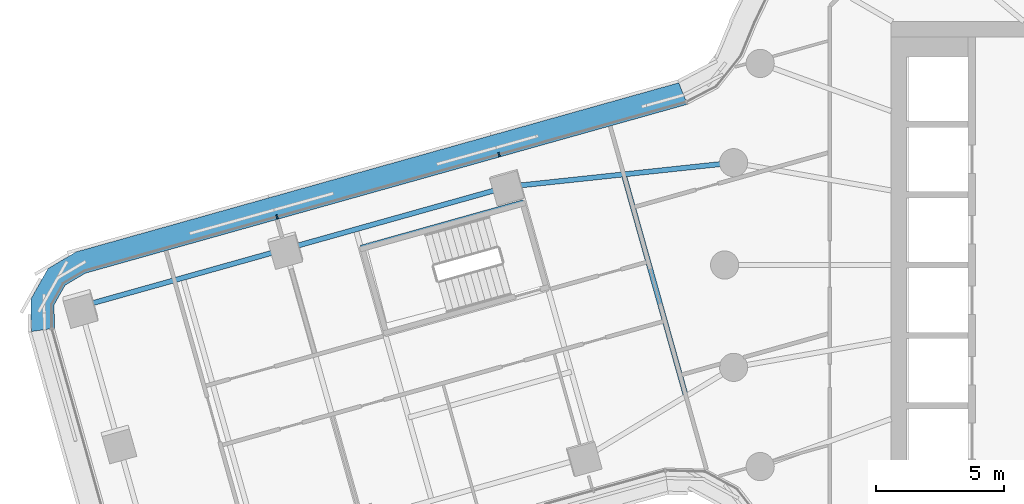
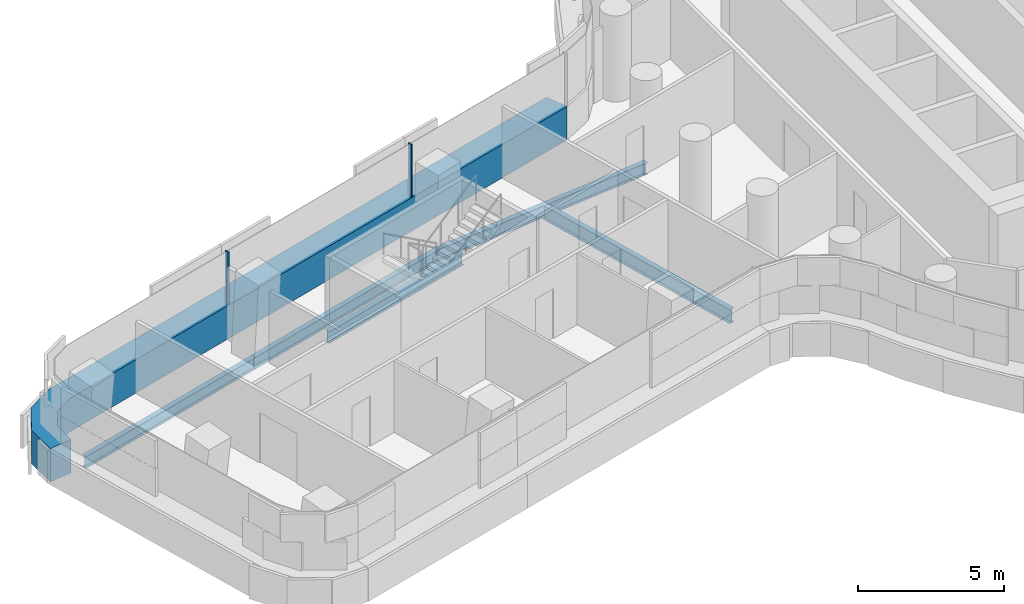
# One storey, part 6 of 30: 5 beams, 3 members, 1 element without a shape of its own.
"""IFC4 building model written with IfcOpenShell, lengths in metres."""

from ifc_helpers import new_model, si_unit, direction, frame, origin, origin_2d, place, context, subcontext, project, spatial, polyline, rectangle, i_section, outline, extrude, material, layer, layer_set, material_profile, profile_set, type_object, element, aggregate, save


model = new_model("IFC4")

# Units and contexts
model_context = context("Model", 3, precision=1e-05, world=origin(), true_north=direction((0.0, 1.0)))
body_context = subcontext(model_context, "Body", "Model", "MODEL_VIEW")
ifc_project = project(units=[si_unit("LENGTHUNIT", "METRE"), si_unit("AREAUNIT", "SQUARE_METRE"), si_unit("VOLUMEUNIT", "CUBIC_METRE"), si_unit("PLANEANGLEUNIT", "RADIAN"), si_unit("MASSUNIT", "GRAM", prefix="KILO")], contexts=[model_context])

# Site, building, storey
site_placement = place(None, origin())
site = spatial("IfcSite", under=ifc_project, at=site_placement, CompositionType="ELEMENT")
building_placement = place(site_placement, origin())
building = spatial("IfcBuilding", under=site, at=building_placement, Name="Tamarind Cross Interchange Tower", CompositionType="ELEMENT")
storey_placement = place(building_placement, frame((0.0, 0.0, 91.0)))
storey = spatial("IfcBuildingStorey", under=building, at=storey_placement, Name="L21", CompositionType="ELEMENT", Elevation=91.0)

# Beams
ifc_material_1 = material(Name="Steel Q355B", Category="steel")
ifc_material_profile_1 = material_profile(ifc_material_1, i_section(OverallWidth=0.198974609375, OverallDepth=0.49609375, WebThickness=0.009033203125, FlangeThickness=0.013916015625, FilletRadius=0.012939453125, at=origin_2d()), Name="HN 496x199x9x14")
ifc_profile_set_1 = profile_set([ifc_material_profile_1], Name="Steel Q355B")
beam_type_1 = type_object("IfcBeamType", Name="Composite beam HN 496x199x9x14 Q355B", PredefinedType="BEAM", material=ifc_profile_set_1)
beam_1_placement = place(storey_placement, frame((-48.147216796875, -1.62353515625, -0.387939453125), z_axis=(0.962821761658, 0.270137474776, 0.0), x_axis=(-0.270137474776, 0.962821761658, 0.0)))
element("IfcBeam", 1, at=beam_1_placement, inside=storey, type_object=beam_type_1, Name="Beam W-edgeem5", PredefinedType="BEAM", context=body_context, shape_type="SweptSolid", body=[
    extrude(i_section(OverallWidth=0.198974609375, OverallDepth=0.49609375, WebThickness=0.009033203125, FlangeThickness=0.013916015625, FilletRadius=0.012939453125, at=origin_2d()), origin(), (0.0, 0.0, 1.0), 8.313720703125),
])
beam_2_placement = place(storey_placement, frame((-40.142578125, 0.622314453125, -0.387939453125), z_axis=(0.96282528208, 0.270124927, 0.0), x_axis=(-0.270124927, 0.96282528208, 0.0)))
element("IfcBeam", 2, at=beam_2_placement, inside=storey, type_object=beam_type_1, Name="Beam W-edgeem6", PredefinedType="BEAM", context=body_context, shape_type="SweptSolid", body=[
    extrude(i_section(OverallWidth=0.198974609375, OverallDepth=0.49609375, WebThickness=0.009033203125, FlangeThickness=0.013916015625, FilletRadius=0.012939453125, at=origin_2d()), origin(), (0.0, 0.0, 1.0), 9.0),
])
beam_3_placement = place(storey_placement, frame((-31.47705078125, 3.053466796875, -0.387939453125), z_axis=(0.994371725124, 0.105947497723, 0.0), x_axis=(-0.105947497723, 0.994371725124, 0.0)))
element("IfcBeam", 3, at=beam_3_placement, inside=storey, type_object=beam_type_1, Name="Beam W-linkem", PredefinedType="BEAM", context=body_context, shape_type="SweptSolid", body=[
    extrude(i_section(OverallWidth=0.198974609375, OverallDepth=0.49609375, WebThickness=0.009033203125, FlangeThickness=0.013916015625, FilletRadius=0.012939453125, at=origin_2d()), origin(), (0.0, 0.0, 1.0), 8.87646484375),
])
beam_4_placement = place(storey_placement, frame((-30.84130859375, 2.452880859375, -0.387939453125), z_axis=(-0.962818272763, -0.270149909558, 0.0), x_axis=(0.270149909558, -0.962818272763, 0.0)))
element("IfcBeam", 4, at=beam_4_placement, inside=storey, type_object=beam_type_1, Name="Beam W-tr0", PredefinedType="BEAM", context=body_context, shape_type="SweptSolid", body=[
    extrude(i_section(OverallWidth=0.198974609375, OverallDepth=0.49609375, WebThickness=0.009033203125, FlangeThickness=0.013916015625, FilletRadius=0.012939453125, at=origin_2d()), origin(), (0.0, 0.0, 1.0), 6.599853515625),
])
ifc_material_profile_2 = material_profile(ifc_material_1, i_section(OverallWidth=0.199951171875, OverallDepth=0.60009765625, WebThickness=0.010986328125, FlangeThickness=0.01708984375, FilletRadius=0.012939453125, at=origin_2d()), Name="HN 600x200x11x17")
ifc_profile_set_2 = profile_set([ifc_material_profile_2], Name="Steel Q355B")
beam_type_2 = type_object("IfcBeamType", Name="Composite beam HN 600x200x11x17 Q355B", PredefinedType="BEAM", material=ifc_profile_set_2)
beam_5_placement = place(storey_placement, frame((-26.93896484375, 3.536865234375, -0.43994140625), z_axis=(0.270109332401, -0.962829657078, 0.0), x_axis=(0.962829657078, 0.270109332401, 0.0)))
element("IfcBeam", 5, at=beam_5_placement, inside=storey, type_object=beam_type_2, Name="Beam W-x258", PredefinedType="BEAM", context=body_context, shape_type="SweptSolid", body=[
    extrude(i_section(OverallWidth=0.199951171875, OverallDepth=0.60009765625, WebThickness=0.010986328125, FlangeThickness=0.01708984375, FilletRadius=0.012939453125, at=origin_2d()), origin(), (0.0, 0.0, 1.0), 8.99072265625),
])

# Curtain wall, members
ifc_material_2 = material(Name="Aluminium 6063-T6", Category="aluminium")
ifc_layer = layer(ifc_material_2, 0.159912109375)
ifc_layer_set = layer_set([ifc_layer], Name="Aluminium 6063-T6")
curtain_wall_type = type_object("IfcCurtainWallType", Name="Office curtain wall, 9.0 m bays", PredefinedType="NOTDEFINED", material=ifc_layer_set)
curtain_wall_placement = place(storey_placement, origin())
curtain_wall = element("IfcCurtainWall", 6, at=curtain_wall_placement, inside=storey, type_object=curtain_wall_type, Name="CWS-L21-11", PredefinedType="NOTDEFINED")
ifc_material_3 = material(Name="Aluminium and insulated spandrel panel", Category="aluminium")
member_type_1 = type_object("IfcMemberType", Name="Floor-edge blade transom", PredefinedType="USERDEFINED", material=ifc_material_3)
member_1_placement = place(storey_placement, origin())
member_1 = element("IfcMember", 7, at=member_1_placement, type_object=member_type_1, Name="CWT-L21-11", ObjectType="TRANSOM", PredefinedType="USERDEFINED", context=body_context, shape_type="SweptSolid", body=[
    extrude(outline(polyline([(-24.455078125, 6.27001953125), (-47.951904296875, -0.322265625), (-48.7392578125, -0.789306640625), (-49.16748046875, -1.5517578125), (-49.15673828125, -2.467041015625), (-50.055419921875, -2.59619140625), (-50.0703125, -1.321044921875), (-49.40576171875, -0.13818359375), (-48.30908203125, 0.51220703125), (-24.78955078125, 7.11083984375), (-24.455078125, 6.27001953125)])), origin(), (0.0, 0.0, 1.0), 1.39990234375),
])
ifc_material_profile_3 = material_profile(ifc_material_2, rectangle(XDim=0.06005859375, YDim=0.159912109375, at=origin_2d()), Name="Mullion CW1")
ifc_profile_set_3 = profile_set([ifc_material_profile_3], Name="Aluminium 6063-T6")
member_type_2 = type_object("IfcMemberType", Name="Mullion CW1", PredefinedType="MULLION", material=ifc_profile_set_3)
member_2_placement = place(storey_placement, frame((-31.806396484375, 4.311279296875, 1.39990234375), z_axis=(0.0, 0.0, 1.0), x_axis=(-0.962823871791, -0.270129953744, 0.0)))
member_2 = element("IfcMember", 8, at=member_2_placement, type_object=member_type_2, Name="CWM-L21-11-01", PredefinedType="MULLION", context=body_context, shape_type="SweptSolid", body=[
    extrude(rectangle(XDim=0.06005859375, YDim=0.159912109375, at=origin_2d()), origin(), (0.0, 0.0, 1.0), 2.210205078125),
])
member_3_placement = place(storey_placement, frame((-40.469970703125, 1.880615234375, 1.39990234375), z_axis=(0.0, 0.0, 1.0), x_axis=(-0.962823871791, -0.270129953744, 0.0)))
member_3 = element("IfcMember", 9, at=member_3_placement, type_object=member_type_2, Name="CWM-L21-11-02", PredefinedType="MULLION", context=body_context, shape_type="SweptSolid", body=[
    extrude(rectangle(XDim=0.06005859375, YDim=0.159912109375, at=origin_2d()), origin(), (0.0, 0.0, 1.0), 2.210205078125),
])
aggregate(curtain_wall, [member_2, member_3, member_1])

save(model, "model.ifc")
